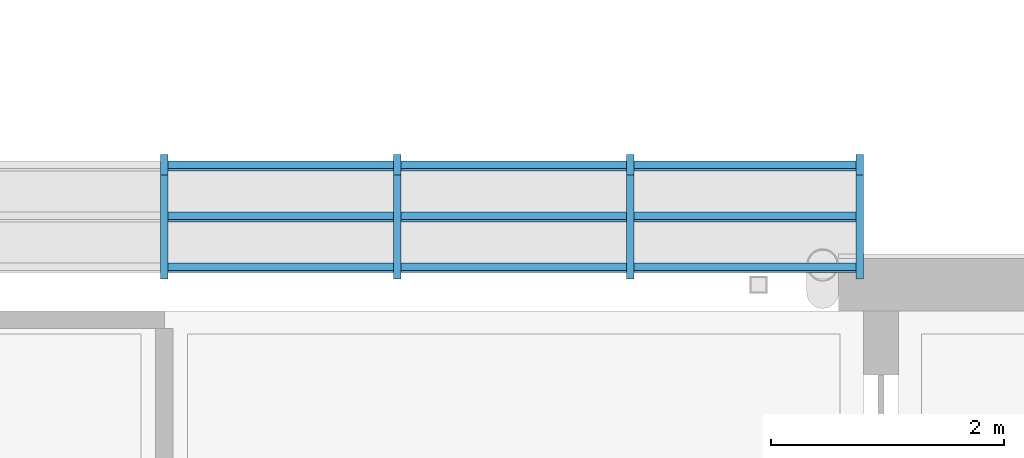
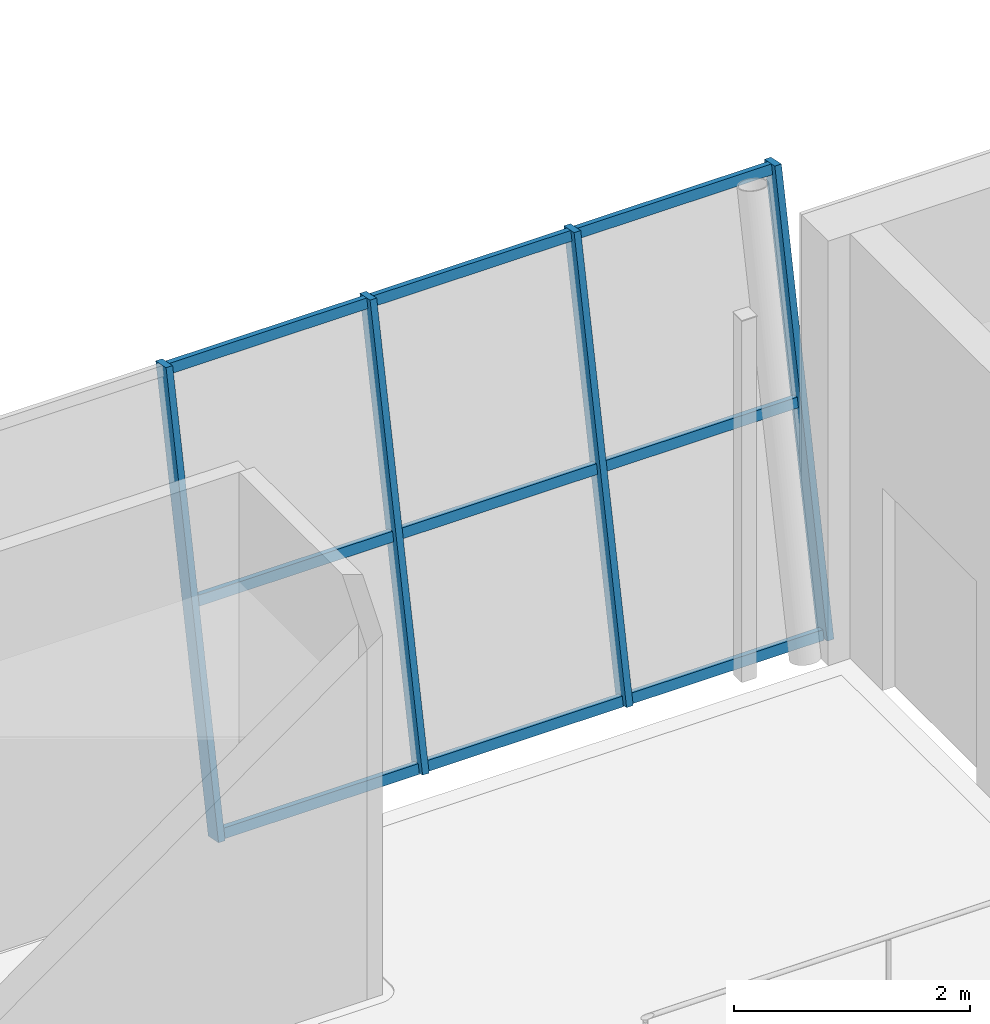
# One storey, part 42 of 115: 13 members, 1 element without a shape of its own.
"""IFC4 building model written with IfcOpenShell, lengths in metres."""

from ifc_helpers import new_model, si_unit, direction, frame, origin, origin_2d, place, context, subcontext, project, spatial, rectangle, extrude, material, layer, layer_set, material_profile, profile_set, type_object, element, aggregate, save


model = new_model("IFC4")

# Units and contexts
model_context = context("Model", 3, precision=1e-05, world=origin(), true_north=direction((0.0, 1.0)))
body_context = subcontext(model_context, "Body", "Model", "MODEL_VIEW")
ifc_project = project(units=[si_unit("LENGTHUNIT", "METRE"), si_unit("AREAUNIT", "SQUARE_METRE"), si_unit("VOLUMEUNIT", "CUBIC_METRE"), si_unit("PLANEANGLEUNIT", "RADIAN"), si_unit("MASSUNIT", "GRAM", prefix="KILO")], contexts=[model_context])

# Site, building, storey
site_placement = place(None, origin())
site = spatial("IfcSite", under=ifc_project, at=site_placement, CompositionType="ELEMENT")
building_placement = place(site_placement, origin())
building = spatial("IfcBuilding", under=site, at=building_placement, Name="Windward Yard Aquatics Centre", CompositionType="ELEMENT")
storey_placement = place(building_placement, frame((0.0, 0.0, 5.0)))
storey = spatial("IfcBuildingStorey", under=building, at=storey_placement, Name="L01", CompositionType="ELEMENT", Elevation=5.0)

# Curtain wall, members
ifc_material_1 = material(Name="Glass and aluminium curtain wall", Category="aluminium")
ifc_layer = layer(ifc_material_1, 0.179931640625)
ifc_layer_set = layer_set([ifc_layer], Name="H curtain wall tier 1 double glazed 8+16+8")
curtain_wall_type = type_object("IfcCurtainWallType", Name="H curtain wall tier 1 double glazed 8+16+8", PredefinedType="NOTDEFINED", material=ifc_layer_set)
curtain_wall_placement = place(storey_placement, origin())
curtain_wall = element("IfcCurtainWall", 1, at=curtain_wall_placement, inside=storey, type_object=curtain_wall_type, Name="Tier 1 glazing N L01", PredefinedType="NOTDEFINED")
ifc_material_2 = material(Name="Aluminium 6063-T6 anodised", Category="aluminium")
ifc_material_profile_1 = material_profile(ifc_material_2, rectangle(XDim=0.06494140625, YDim=0.179931640625, at=origin_2d()), Name="H CW mullion 65x180")
ifc_profile_set_1 = profile_set([ifc_material_profile_1], Name="Aluminium 6063-T6 anodised")
member_type_1 = type_object("IfcMemberType", Name="H CW mullion 65x180", PredefinedType="MULLION", material=ifc_profile_set_1)
member_1_placement = place(storey_placement, frame((134.000732421875, 95.911865234375, 0.017822265625), z_axis=(0.0, 0.199380237329, 0.979922201485), x_axis=(-1.0, 0.0, 0.0)))
member_1 = element("IfcMember", 2, at=member_1_placement, type_object=member_type_1, Name="G1NB mullion 17", PredefinedType="MULLION", context=body_context, shape_type="SweptSolid", body=[
    extrude(rectangle(XDim=0.06494140625, YDim=0.179931640625, at=origin_2d()), origin(), (0.0, 0.0, 1.0), 4.471923828125),
])
member_2_placement = place(storey_placement, frame((136.00048828125, 95.911865234375, 0.017822265625), z_axis=(0.0, 0.199380237329, 0.979922201485), x_axis=(-1.0, 0.0, 0.0)))
member_2 = element("IfcMember", 3, at=member_2_placement, type_object=member_type_1, Name="G1NB mullion 18", PredefinedType="MULLION", context=body_context, shape_type="SweptSolid", body=[
    extrude(rectangle(XDim=0.06494140625, YDim=0.179931640625, at=origin_2d()), origin(), (0.0, 0.0, 1.0), 4.471923828125),
])
member_3_placement = place(storey_placement, frame((138.000244140625, 95.911865234375, 0.017822265625), z_axis=(0.0, 0.199380237329, 0.979922201485), x_axis=(-1.0, 0.0, 0.0)))
member_3 = element("IfcMember", 4, at=member_3_placement, type_object=member_type_1, Name="G1NB mullion 19", PredefinedType="MULLION", context=body_context, shape_type="SweptSolid", body=[
    extrude(rectangle(XDim=0.06494140625, YDim=0.179931640625, at=origin_2d()), origin(), (0.0, 0.0, 1.0), 4.471923828125),
])
member_4_placement = place(storey_placement, frame((139.967529296875, 95.911865234375, 0.017822265625), z_axis=(0.0, 0.199380237329, 0.979922201485), x_axis=(-1.0, 0.0, 0.0)))
member_4 = element("IfcMember", 5, at=member_4_placement, type_object=member_type_1, Name="G1NB mullion 20", PredefinedType="MULLION", context=body_context, shape_type="SweptSolid", body=[
    extrude(rectangle(XDim=0.06494140625, YDim=0.179931640625, at=origin_2d()), origin(), (0.0, 0.0, 1.0), 4.471923828125),
])
ifc_material_profile_2 = material_profile(ifc_material_2, rectangle(XDim=0.06494140625, YDim=0.10009765625, at=origin_2d()), Name="H CW transom 65x100")
ifc_profile_set_2 = profile_set([ifc_material_profile_2], Name="Aluminium 6063-T6 anodised")
member_type_2 = type_object("IfcMemberType", Name="H CW transom 65x100", PredefinedType="USERDEFINED", material=ifc_profile_set_2)
member_5_placement = place(storey_placement, frame((134.033203125, 95.91943359375, 0.055419921875), z_axis=(1.0, 0.0, 0.0), x_axis=(0.0, -0.979924704642, 0.199367934315)))
member_5 = element("IfcMember", 6, at=member_5_placement, type_object=member_type_2, Name="G1NB transom 17.1", ObjectType="TRANSOM", PredefinedType="USERDEFINED", context=body_context, shape_type="SweptSolid", body=[
    extrude(rectangle(XDim=0.06494140625, YDim=0.10009765625, at=origin_2d()), origin(), (0.0, 0.0, 1.0), 1.934814453125),
])
member_6_placement = place(storey_placement, frame((134.033203125, 96.355712890625, 2.199951171875), z_axis=(1.0, 0.0, 0.0), x_axis=(0.0, -0.979924704642, 0.199367934315)))
member_6 = element("IfcMember", 7, at=member_6_placement, type_object=member_type_2, Name="G1NB transom 17.2", ObjectType="TRANSOM", PredefinedType="USERDEFINED", context=body_context, shape_type="SweptSolid", body=[
    extrude(rectangle(XDim=0.06494140625, YDim=0.10009765625, at=origin_2d()), origin(), (0.0, 0.0, 1.0), 1.934814453125),
])
member_7_placement = place(storey_placement, frame((134.033203125, 96.79345703125, 4.35107421875), z_axis=(1.0, 0.0, 0.0), x_axis=(0.0, -0.979924704642, 0.199367934315)))
member_7 = element("IfcMember", 8, at=member_7_placement, type_object=member_type_2, Name="G1NB transom 17.3", ObjectType="TRANSOM", PredefinedType="USERDEFINED", context=body_context, shape_type="SweptSolid", body=[
    extrude(rectangle(XDim=0.06494140625, YDim=0.10009765625, at=origin_2d()), origin(), (0.0, 0.0, 1.0), 1.934814453125),
])
member_8_placement = place(storey_placement, frame((136.032958984375, 95.91943359375, 0.055419921875), z_axis=(1.0, 0.0, 0.0), x_axis=(0.0, -0.979924704642, 0.199367934315)))
member_8 = element("IfcMember", 9, at=member_8_placement, type_object=member_type_2, Name="G1NB transom 18.1", ObjectType="TRANSOM", PredefinedType="USERDEFINED", context=body_context, shape_type="SweptSolid", body=[
    extrude(rectangle(XDim=0.06494140625, YDim=0.10009765625, at=origin_2d()), origin(), (0.0, 0.0, 1.0), 1.934814453125),
])
member_9_placement = place(storey_placement, frame((136.032958984375, 96.355712890625, 2.199951171875), z_axis=(1.0, 0.0, 0.0), x_axis=(0.0, -0.979924704642, 0.199367934315)))
member_9 = element("IfcMember", 10, at=member_9_placement, type_object=member_type_2, Name="G1NB transom 18.2", ObjectType="TRANSOM", PredefinedType="USERDEFINED", context=body_context, shape_type="SweptSolid", body=[
    extrude(rectangle(XDim=0.06494140625, YDim=0.10009765625, at=origin_2d()), origin(), (0.0, 0.0, 1.0), 1.934814453125),
])
member_10_placement = place(storey_placement, frame((136.032958984375, 96.79345703125, 4.35107421875), z_axis=(1.0, 0.0, 0.0), x_axis=(0.0, -0.979924704642, 0.199367934315)))
member_10 = element("IfcMember", 11, at=member_10_placement, type_object=member_type_2, Name="G1NB transom 18.3", ObjectType="TRANSOM", PredefinedType="USERDEFINED", context=body_context, shape_type="SweptSolid", body=[
    extrude(rectangle(XDim=0.06494140625, YDim=0.10009765625, at=origin_2d()), origin(), (0.0, 0.0, 1.0), 1.934814453125),
])
member_11_placement = place(storey_placement, frame((138.03271484375, 95.91943359375, 0.055419921875), z_axis=(1.0, 0.0, 0.0), x_axis=(0.0, -0.979924704642, 0.199367934315)))
member_11 = element("IfcMember", 12, at=member_11_placement, type_object=member_type_2, Name="G1NB transom 19.1", ObjectType="TRANSOM", PredefinedType="USERDEFINED", context=body_context, shape_type="SweptSolid", body=[
    extrude(rectangle(XDim=0.06494140625, YDim=0.10009765625, at=origin_2d()), origin(), (0.0, 0.0, 1.0), 1.90234375),
])
member_12_placement = place(storey_placement, frame((138.03271484375, 96.355712890625, 2.199951171875), z_axis=(1.0, 0.0, 0.0), x_axis=(0.0, -0.979924704642, 0.199367934315)))
member_12 = element("IfcMember", 13, at=member_12_placement, type_object=member_type_2, Name="G1NB transom 19.2", ObjectType="TRANSOM", PredefinedType="USERDEFINED", context=body_context, shape_type="SweptSolid", body=[
    extrude(rectangle(XDim=0.06494140625, YDim=0.10009765625, at=origin_2d()), origin(), (0.0, 0.0, 1.0), 1.90234375),
])
member_13_placement = place(storey_placement, frame((138.03271484375, 96.79345703125, 4.35107421875), z_axis=(1.0, 0.0, 0.0), x_axis=(0.0, -0.979924704642, 0.199367934315)))
member_13 = element("IfcMember", 14, at=member_13_placement, type_object=member_type_2, Name="G1NB transom 19.3", ObjectType="TRANSOM", PredefinedType="USERDEFINED", context=body_context, shape_type="SweptSolid", body=[
    extrude(rectangle(XDim=0.06494140625, YDim=0.10009765625, at=origin_2d()), origin(), (0.0, 0.0, 1.0), 1.90234375),
])
aggregate(curtain_wall, [member_1, member_2, member_3, member_4, member_5, member_6, member_7, member_8, member_9, member_10, member_11, member_12, member_13])

save(model, "model.ifc")
